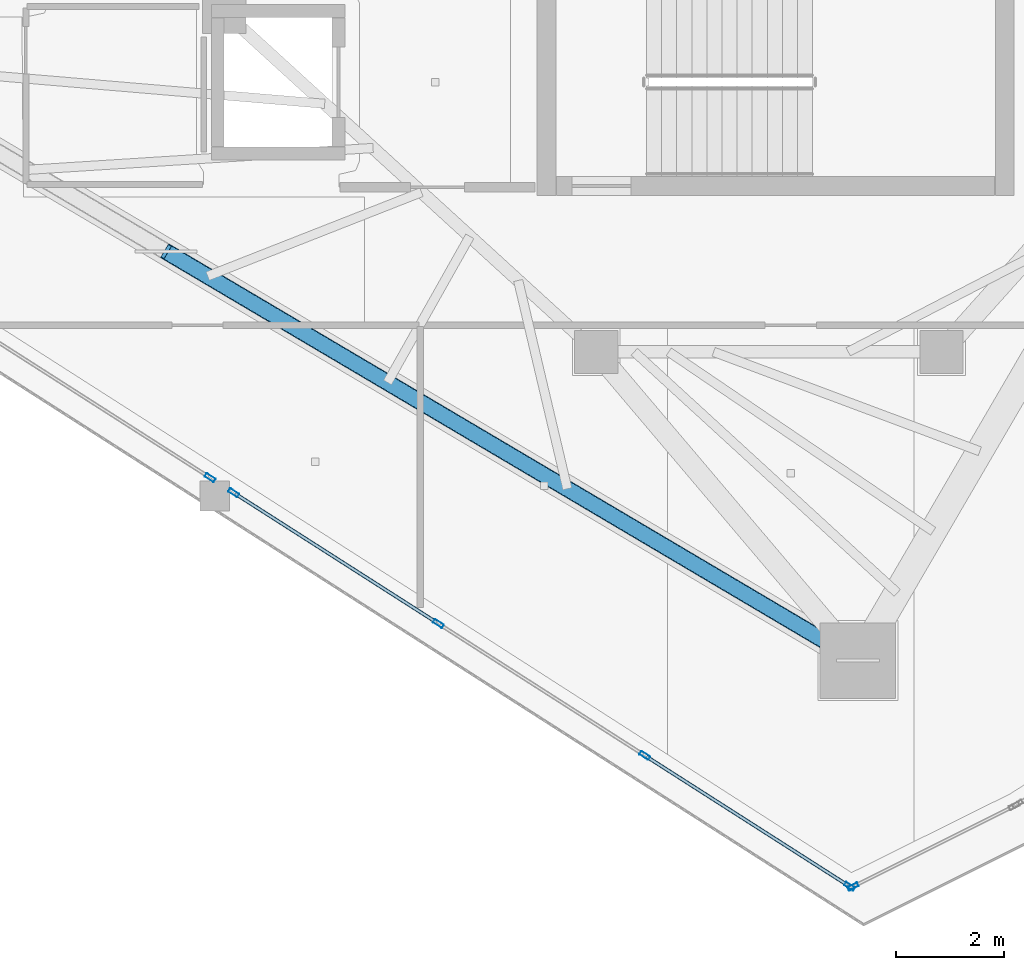
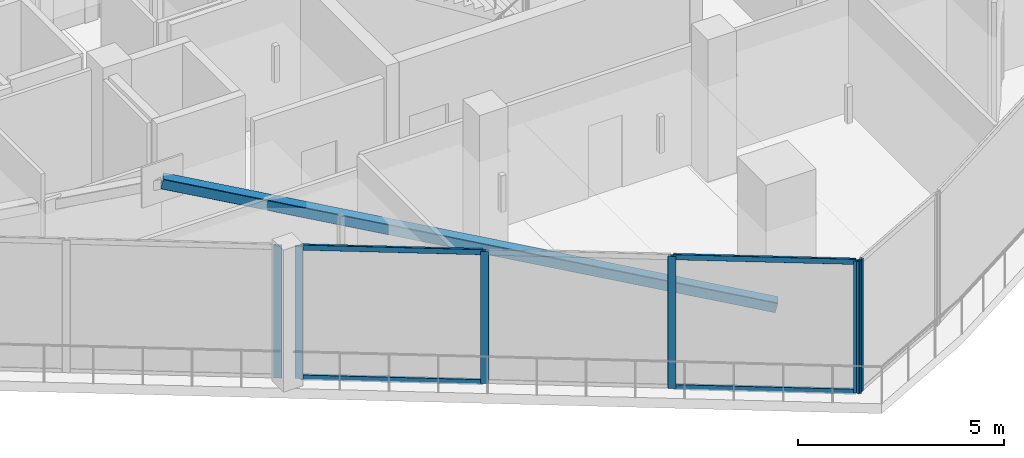
# One storey, part 4 of 25: 11 members, 3 elements without a shape of their own.
"""IFC4 building model written with IfcOpenShell, lengths in metres."""

from ifc_helpers import new_model, si_unit, direction, frame, origin, origin_2d, place, context, subcontext, project, spatial, hollow_rectangle, extrude, material, layer, layer_set, material_profile, profile_set, type_object, element, aggregate, save


model = new_model("IFC4")

# Units and contexts
model_context = context("Model", 3, precision=1e-05, world=origin(), true_north=direction((0.0, 1.0)))
body_context = subcontext(model_context, "Body", "Model", "MODEL_VIEW")
ifc_project = project(units=[si_unit("LENGTHUNIT", "METRE"), si_unit("AREAUNIT", "SQUARE_METRE"), si_unit("VOLUMEUNIT", "CUBIC_METRE"), si_unit("PLANEANGLEUNIT", "RADIAN"), si_unit("MASSUNIT", "GRAM", prefix="KILO")], contexts=[model_context])

# Site, building, storey
site_placement = place(None, origin())
site = spatial("IfcSite", under=ifc_project, at=site_placement, CompositionType="ELEMENT")
building_placement = place(site_placement, origin())
building = spatial("IfcBuilding", under=site, at=building_placement, Name="Qorvath Tower", CompositionType="ELEMENT")
storey_placement = place(building_placement, frame((0.0, 0.0, 314.39990234375)))
storey = spatial("IfcBuildingStorey", under=building, at=storey_placement, Name="L73", CompositionType="ELEMENT", Elevation=314.39990234375)

# Curtain wall, member
ifc_material_1 = material(Name="Anodised aluminium and triple low-E glass", Category="aluminium")
ifc_layer = layer(ifc_material_1, 0.179931640625)
ifc_layer_set = layer_set([ifc_layer], Name="CW-SYS-4")
curtain_wall_type = type_object("IfcCurtainWallType", Name="CW-SYS-4", PredefinedType="NOTDEFINED", material=ifc_layer_set)
curtain_wall_1_placement = place(storey_placement, origin())
curtain_wall_1 = element("IfcCurtainWall", 1, at=curtain_wall_1_placement, inside=storey, type_object=curtain_wall_type, Name="Curtain Wall CW-4 CW-T-L73-2.1", PredefinedType="NOTDEFINED")
ifc_material_2 = material(Name="Anodised aluminium 6063-T6", Category="aluminium")
ifc_material_profile_1 = material_profile(ifc_material_2, hollow_rectangle(XDim=0.074951171875, YDim=0.199951171875, WallThickness=0.00390625, InnerFilletRadius=0.00390625, OuterFilletRadius=0.008056640625, at=origin_2d()), Name="CWM 200x75")
ifc_profile_set_1 = profile_set([ifc_material_profile_1], Name="Anodised aluminium 6063-T6")
member_type_1 = type_object("IfcMemberType", Name="CWM-200", PredefinedType="MULLION", material=ifc_profile_set_1)
member_1_placement = place(storey_placement, frame((-30.76171875, -13.783935546875, 0.0), z_axis=(0.0, 0.0, 1.0), x_axis=(0.538529844016, 0.842606436662, 0.0)))
member_1 = element("IfcMember", 2, at=member_1_placement, type_object=member_type_1, Name="CW-4 mullion 5", PredefinedType="MULLION", context=body_context, shape_type="SweptSolid", body=[
    extrude(hollow_rectangle(XDim=0.074951171875, YDim=0.199951171875, WallThickness=0.00390625, InnerFilletRadius=0.00390625, OuterFilletRadius=0.008056640625, at=origin_2d()), origin(), (0.0, 0.0, 1.0), 3.91015625),
])
aggregate(curtain_wall_1, [member_1])

# Curtain wall, members
curtain_wall_2_placement = place(storey_placement, origin())
curtain_wall_2 = element("IfcCurtainWall", 3, at=curtain_wall_2_placement, inside=storey, type_object=curtain_wall_type, Name="Curtain Wall CW-4 CW-T-L73-2.2", PredefinedType="NOTDEFINED")
member_2_placement = place(storey_placement, frame((-30.32568359375, -14.06298828125, 0.0), z_axis=(0.0, 0.0, 1.0), x_axis=(0.538536451315, 0.842602213743, 0.0)))
member_2 = element("IfcMember", 4, at=member_2_placement, type_object=member_type_1, Name="CW-4 mullion 1", PredefinedType="MULLION", context=body_context, shape_type="SweptSolid", body=[
    extrude(hollow_rectangle(XDim=0.074951171875, YDim=0.199951171875, WallThickness=0.00390625, InnerFilletRadius=0.00390625, OuterFilletRadius=0.008056640625, at=origin_2d()), origin(), (0.0, 0.0, 1.0), 3.91015625),
])
member_3_placement = place(storey_placement, frame((-26.52880859375, -16.489501953125, 0.0), z_axis=(0.0, 0.0, 1.0), x_axis=(0.538536451315, 0.842602213743, 0.0)))
member_3 = element("IfcMember", 5, at=member_3_placement, type_object=member_type_1, Name="CW-4 mullion 2", PredefinedType="MULLION", context=body_context, shape_type="SweptSolid", body=[
    extrude(hollow_rectangle(XDim=0.074951171875, YDim=0.199951171875, WallThickness=0.00390625, InnerFilletRadius=0.00390625, OuterFilletRadius=0.008056640625, at=origin_2d()), origin(), (0.0, 0.0, 1.0), 3.91015625),
])
member_4_placement = place(storey_placement, frame((-22.70068359375, -18.936279296875, 0.0), z_axis=(0.0, 0.0, 1.0), x_axis=(0.538536451315, 0.842602213743, 0.0)))
member_4 = element("IfcMember", 6, at=member_4_placement, type_object=member_type_1, Name="CW-4 mullion 3", PredefinedType="MULLION", context=body_context, shape_type="SweptSolid", body=[
    extrude(hollow_rectangle(XDim=0.074951171875, YDim=0.199951171875, WallThickness=0.00390625, InnerFilletRadius=0.00390625, OuterFilletRadius=0.008056640625, at=origin_2d()), origin(), (0.0, 0.0, 1.0), 3.91015625),
])
member_5_placement = place(storey_placement, frame((-18.90380859375, -21.36279296875, 0.0), z_axis=(0.0, 0.0, 1.0), x_axis=(0.538536451315, 0.842602213743, 0.0)))
member_5 = element("IfcMember", 7, at=member_5_placement, type_object=member_type_1, Name="CW-4 mullion 4", PredefinedType="MULLION", context=body_context, shape_type="SweptSolid", body=[
    extrude(hollow_rectangle(XDim=0.074951171875, YDim=0.199951171875, WallThickness=0.00390625, InnerFilletRadius=0.00390625, OuterFilletRadius=0.008056640625, at=origin_2d()), origin(), (0.0, 0.0, 1.0), 3.91015625),
])

# Curtain wall, member
curtain_wall_3_placement = place(storey_placement, origin())
curtain_wall_3 = element("IfcCurtainWall", 8, at=curtain_wall_3_placement, inside=storey, type_object=curtain_wall_type, Name="Curtain Wall CW-4 CW-T-L73-3.1", PredefinedType="NOTDEFINED")
member_6_placement = place(storey_placement, frame((-18.8388671875, -21.3662109375, 0.0), z_axis=(0.0, 0.0, 1.0), x_axis=(-0.447225307528, 0.89442133489, 0.0)))
member_6 = element("IfcMember", 9, at=member_6_placement, type_object=member_type_1, Name="CW-4 mullion 1", PredefinedType="MULLION", context=body_context, shape_type="SweptSolid", body=[
    extrude(hollow_rectangle(XDim=0.074951171875, YDim=0.199951171875, WallThickness=0.00390625, InnerFilletRadius=0.00390625, OuterFilletRadius=0.008056640625, at=origin_2d()), origin(), (0.0, 0.0, 1.0), 3.91015625),
])
aggregate(curtain_wall_3, [member_6])

# Member
ifc_material_3 = material(Name="Anodised aluminium 6063-T6", Category="aluminium")
ifc_material_profile_2 = material_profile(ifc_material_3, hollow_rectangle(XDim=0.06494140625, YDim=0.159912109375, WallThickness=0.00341796875, InnerFilletRadius=0.00341796875, OuterFilletRadius=0.007080078125, at=origin_2d()), Name="CWT 160x65")
ifc_profile_set_2 = profile_set([ifc_material_profile_2], Name="Anodised aluminium 6063-T6")
member_type_2 = type_object("IfcMemberType", Name="CWT-160", PredefinedType="USERDEFINED", material=ifc_profile_set_2)
member_7_placement = place(storey_placement, frame((-30.2939453125, -14.0830078125, 0.032470703125), z_axis=(0.842593471116, -0.538550129917, 0.0), x_axis=(0.538550129917, 0.842593471116, 0.0)))
member_7 = element("IfcMember", 10, at=member_7_placement, type_object=member_type_2, Name="CW-4 transom 1.1", ObjectType="TRANSOM", PredefinedType="USERDEFINED", context=body_context, shape_type="SweptSolid", body=[
    extrude(hollow_rectangle(XDim=0.06494140625, YDim=0.159912109375, WallThickness=0.00341796875, InnerFilletRadius=0.00341796875, OuterFilletRadius=0.007080078125, at=origin_2d()), origin(), (0.0, 0.0, 1.0), 4.430908203125),
])

member_8_placement = place(storey_placement, frame((-30.2939453125, -14.0830078125, 3.877685546875), z_axis=(0.842593471116, -0.538550129917, 0.0), x_axis=(0.538550129917, 0.842593471116, 0.0)))
member_8 = element("IfcMember", 11, at=member_8_placement, type_object=member_type_2, Name="CW-4 transom 1.2", ObjectType="TRANSOM", PredefinedType="USERDEFINED", context=body_context, shape_type="SweptSolid", body=[
    extrude(hollow_rectangle(XDim=0.06494140625, YDim=0.159912109375, WallThickness=0.00341796875, InnerFilletRadius=0.00341796875, OuterFilletRadius=0.007080078125, at=origin_2d()), origin(), (0.0, 0.0, 1.0), 4.430908203125),
])

member_9_placement = place(storey_placement, frame((-22.6689453125, -18.95654296875, 0.032470703125), z_axis=(0.842593471116, -0.538550129917, 0.0), x_axis=(0.538550129917, 0.842593471116, 0.0)))
member_9 = element("IfcMember", 12, at=member_9_placement, type_object=member_type_2, Name="CW-4 transom 3.1", ObjectType="TRANSOM", PredefinedType="USERDEFINED", context=body_context, shape_type="SweptSolid", body=[
    extrude(hollow_rectangle(XDim=0.06494140625, YDim=0.159912109375, WallThickness=0.00341796875, InnerFilletRadius=0.00341796875, OuterFilletRadius=0.007080078125, at=origin_2d()), origin(), (0.0, 0.0, 1.0), 4.430908203125),
])

member_10_placement = place(storey_placement, frame((-22.6689453125, -18.95654296875, 3.877685546875), z_axis=(0.842593471116, -0.538550129917, 0.0), x_axis=(0.538550129917, 0.842593471116, 0.0)))
member_10 = element("IfcMember", 13, at=member_10_placement, type_object=member_type_2, Name="CW-4 transom 3.2", ObjectType="TRANSOM", PredefinedType="USERDEFINED", context=body_context, shape_type="SweptSolid", body=[
    extrude(hollow_rectangle(XDim=0.06494140625, YDim=0.159912109375, WallThickness=0.00341796875, InnerFilletRadius=0.00341796875, OuterFilletRadius=0.007080078125, at=origin_2d()), origin(), (0.0, 0.0, 1.0), 4.430908203125),
])

aggregate(curtain_wall_2, [member_2, member_3, member_4, member_5, member_7, member_8, member_9, member_10])

ifc_material_4 = material(Name="Steel ASTM A500 Grade C", Category="steel")
ifc_material_profile_3 = material_profile(ifc_material_4, hollow_rectangle(XDim=0.3046875, YDim=0.3046875, WallThickness=0.0126953125, InnerFilletRadius=0.0126953125, OuterFilletRadius=0.025390625, at=origin_2d()), Name="HSS 305x305x12.7")
ifc_profile_set_3 = profile_set([ifc_material_profile_3], Name="Steel ASTM A500 Grade C")
member_type_3 = type_object("IfcMemberType", Name="MEM-MB3", PredefinedType="BRACE", material=ifc_profile_set_3)
member_11_placement = place(storey_placement, frame((-18.75048828125, -17.175537109375, 0.0), z_axis=(-0.837215952288, 0.49503723812, 0.232395314303), x_axis=(-0.508972175844, -0.860782971612, 0.0)))
element("IfcMember", 14, at=member_11_placement, inside=storey, type_object=member_type_3, Name="Perimeter Chevron Brace L73-2B", PredefinedType="BRACE", context=body_context, shape_type="SweptSolid", body=[
    extrude(hollow_rectangle(XDim=0.3046875, YDim=0.3046875, WallThickness=0.0126953125, InnerFilletRadius=0.0126953125, OuterFilletRadius=0.025390625, at=origin_2d()), origin(), (0.0, 0.0, 1.0), 15.320068359375),
])

save(model, "model.ifc")
